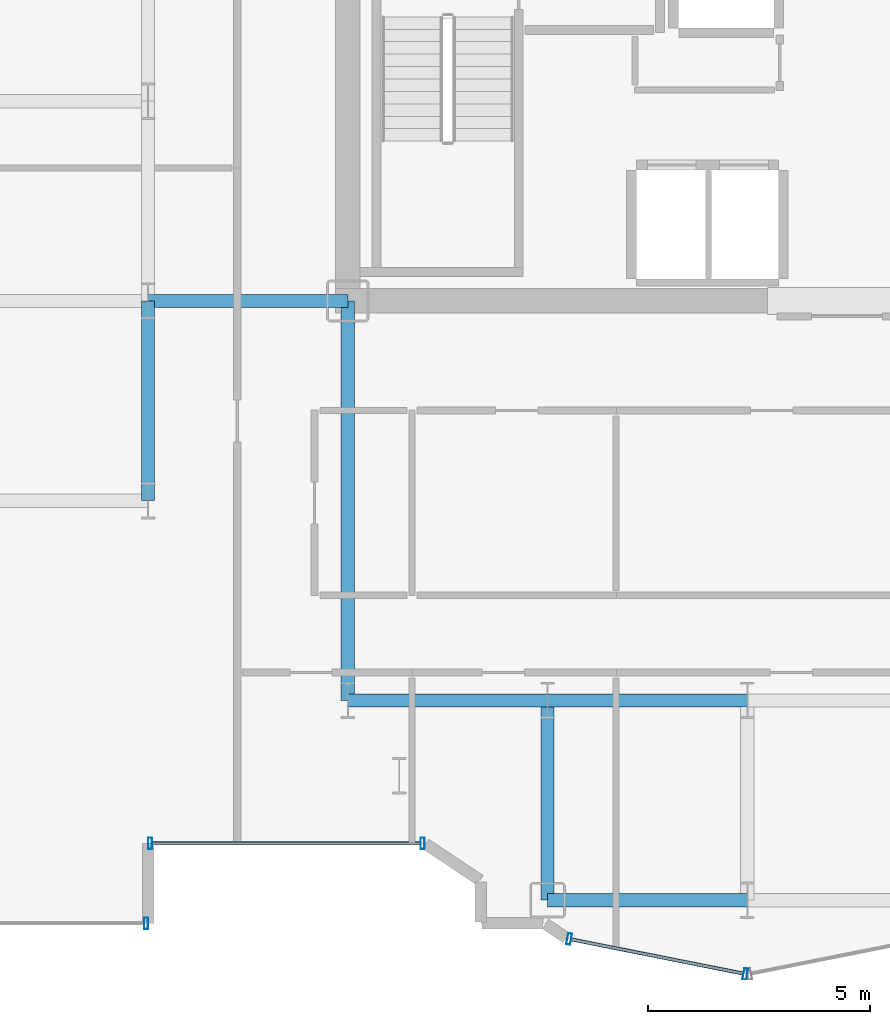
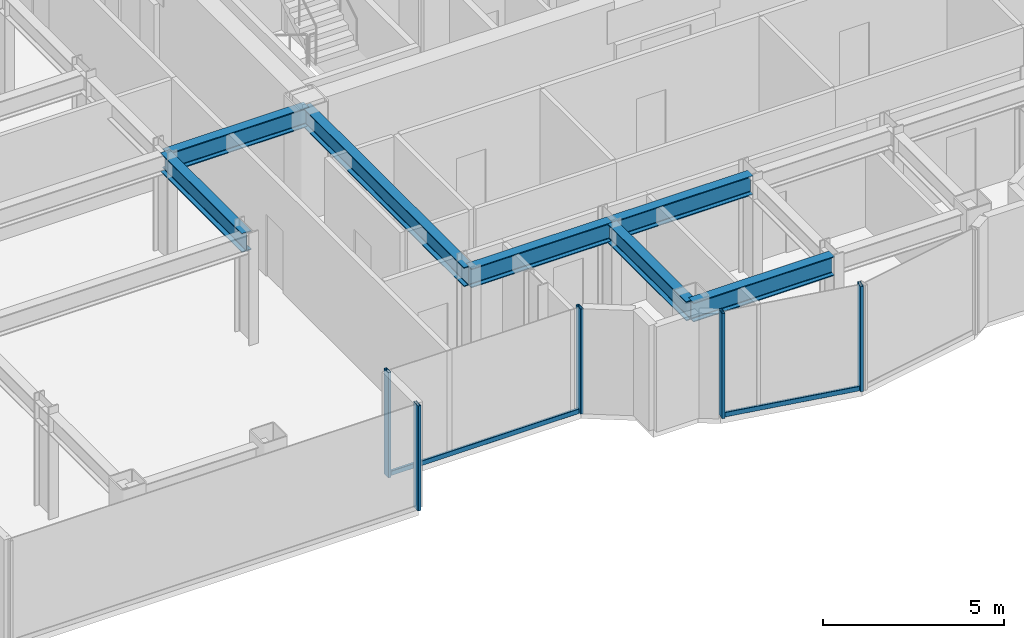
# One storey, part 5 of 23: 7 beams, 7 members, 3 elements without a shape of their own.
"""IFC4 building model written with IfcOpenShell, lengths in metres."""

from ifc_helpers import new_model, si_unit, direction, frame, origin, origin_2d, place, context, subcontext, project, spatial, hollow_rectangle, i_section, extrude, source, transform, mapped, material, layer, layer_set, material_profile, profile_set, type_object, element, aggregate, save


model = new_model("IFC4")

# Units and contexts
model_context = context("Model", 3, precision=1e-05, world=origin(), true_north=direction((0.0, 1.0)))
body_context = subcontext(model_context, "Body", "Model", "MODEL_VIEW")
ifc_project = project(units=[si_unit("LENGTHUNIT", "METRE"), si_unit("AREAUNIT", "SQUARE_METRE"), si_unit("VOLUMEUNIT", "CUBIC_METRE"), si_unit("PLANEANGLEUNIT", "RADIAN"), si_unit("MASSUNIT", "GRAM", prefix="KILO")], contexts=[model_context])

# Site, building, storey
site_placement = place(None, origin())
site = spatial("IfcSite", under=ifc_project, at=site_placement, CompositionType="ELEMENT")
building_placement = place(site_placement, origin())
building = spatial("IfcBuilding", under=site, at=building_placement, Name="Nefas-Gora Pilgrimage Tower", CompositionType="ELEMENT")
storey_placement = place(building_placement, frame((0.0, 0.0, 175.39990234375)))
storey = spatial("IfcBuildingStorey", under=building, at=storey_placement, Name="L43", CompositionType="ELEMENT", Elevation=175.39990234375)

# Beams
ifc_material_1 = material(Name="Steel S355", Category="steel")
ifc_material_profile_1 = material_profile(ifc_material_1, i_section(OverallWidth=0.300048828125, OverallDepth=0.64990234375, WebThickness=0.01611328125, FlangeThickness=0.031005859375, FilletRadius=0.027099609375, at=origin_2d()), Name="HEB 650")
ifc_profile_set_1 = profile_set([ifc_material_profile_1], Name="Steel S355")
beam_type = type_object("IfcBeamType", Name="BM-GIR-HEB650", PredefinedType="BEAM", material=ifc_profile_set_1)
shared_shape_1 = source(origin(), body_context, "Body", "SweptSolid", [
    extrude(i_section(OverallWidth=0.300048828125, OverallDepth=0.64990234375, WebThickness=0.01611328125, FlangeThickness=0.031005859375, FilletRadius=0.027099609375, at=origin_2d()), origin(), (0.0, 0.0, 1.0), 9.0),
])
beam_placement = place(storey_placement, frame((-11.25, -18.0, 3.22509765625), z_axis=(0.0, 1.0, 0.0), x_axis=(-1.0, 0.0, 0.0)))
element("IfcBeam", 1, at=beam_placement, inside=storey, type_object=beam_type, Name="L43 G-03 beam", PredefinedType="BEAM", context=body_context, shape_type="MappedRepresentation", body=[
    mapped(shared_shape_1, transform((0.0, 0.0, 0.0), x_axis=(1.0, 0.0, 0.0), y_axis=(0.0, 1.0, 0.0), z_axis=(0.0, 0.0, 1.0), scale=1.0)),
])
shared_shape_2 = source(origin(), body_context, "Body", "SweptSolid", [
    extrude(i_section(OverallWidth=0.300048828125, OverallDepth=0.64990234375, WebThickness=0.01611328125, FlangeThickness=0.031005859375, FilletRadius=0.027099609375, at=origin_2d()), origin(), (0.0, 0.0, 1.0), 4.5),
])
for number, where, z_axis, x_axis, name in (
    (2, (-15.75, -13.5, 3.22509765625), (0.0, 1.0, 0.0), (-1.0, 0.0, 0.0), "L43 G-03 beam"),
    (3, (-15.75, -9.0, 3.22509765625), (1.0, 0.0, 0.0), (0.0, 1.0, 0.0), "L43 G-03 beam"),
    (4, (-11.25, -18.0, 3.22509765625), (1.0, 0.0, 0.0), (0.0, 1.0, 0.0), "L43 G-03 beam"),
    (5, (-6.75, -22.5, 3.22509765625), (0.0, 1.0, 0.0), (-1.0, 0.0, 0.0), "L43 G-03 beam"),
    (6, (-6.75, -22.5, 3.22509765625), (1.0, 0.0, 0.0), (0.0, 1.0, 0.0), "L43 G-03 beam"),
    (7, (-6.75, -18.0, 3.22509765625), (1.0, 0.0, 0.0), (0.0, 1.0, 0.0), "L43 G-03 beam"),
):
    element("IfcBeam", number, at=place(storey_placement, frame(where, z_axis=z_axis, x_axis=x_axis)), inside=storey, type_object=beam_type, Name=name, PredefinedType="BEAM", context=body_context, shape_type="MappedRepresentation", body=[
        mapped(shared_shape_2, transform((0.0, 0.0, 0.0), x_axis=(1.0, 0.0, 0.0), y_axis=(0.0, 1.0, 0.0), z_axis=(0.0, 0.0, 1.0), scale=1.0)),
    ])

# Curtain wall, members
ifc_material_2 = material(Name="Dark ceramic-fritted solar-control aluminium-glass curtain wall", Category="aluminium")
ifc_layer_1 = layer(ifc_material_2, 0.219970703125)
ifc_layer_set_1 = layer_set([ifc_layer_1], Name="Dark ceramic-fritted solar-control aluminium-glass curtain wall")
curtain_wall_type_1 = type_object("IfcCurtainWallType", Name="CW-SYS-5", PredefinedType="NOTDEFINED", material=ifc_layer_set_1)
curtain_wall_1_placement = place(storey_placement, origin())
curtain_wall_1 = element("IfcCurtainWall", 8, at=curtain_wall_1_placement, inside=storey, type_object=curtain_wall_type_1, Name="L43 Unitised Curtain Wall CW5", PredefinedType="NOTDEFINED")
ifc_material_3 = material(Name="Anodised architectural aluminium", Category="aluminium")
ifc_material_profile_2 = material_profile(ifc_material_3, hollow_rectangle(XDim=0.090087890625, YDim=0.260009765625, WallThickness=0.006103515625, InnerFilletRadius=0.006103515625, OuterFilletRadius=0.011962890625, at=origin_2d()), Name="ALU MULLION 90x260")
ifc_profile_set_2 = profile_set([ifc_material_profile_2], Name="Anodised architectural aluminium")
member_type_1 = type_object("IfcMemberType", Name="CWM-MUL-5", PredefinedType="MULLION", material=ifc_profile_set_2)
shared_shape_3 = source(origin(), body_context, "Body", "SweptSolid", [
    extrude(hollow_rectangle(XDim=0.090087890625, YDim=0.260009765625, WallThickness=0.006103515625, InnerFilletRadius=0.006103515625, OuterFilletRadius=0.011962890625, at=origin_2d()), origin(), (0.0, 0.0, 1.0), 3.550048828125),
])
member_1_placement = place(storey_placement, frame((-15.705078125, -21.219970703125, 0.0), z_axis=(0.0, 0.0, 1.0), x_axis=(1.0, 0.0, 0.0)))
member_1 = element("IfcMember", 9, at=member_1_placement, type_object=member_type_1, Name="CW5 Mullion 1", PredefinedType="MULLION", context=body_context, shape_type="MappedRepresentation", body=[
    mapped(shared_shape_3, transform((0.0, 0.0, 0.0), x_axis=(1.0, 0.0, 0.0), y_axis=(0.0, 1.0, 0.0), z_axis=(0.0, 0.0, 1.0), scale=1.0)),
])
member_2_placement = place(storey_placement, frame((-9.56298828125, -21.219970703125, 0.0), z_axis=(0.0, 0.0, 1.0), x_axis=(1.0, 0.0, 0.0)))
member_2 = element("IfcMember", 10, at=member_2_placement, type_object=member_type_1, Name="CW5 Mullion 2", PredefinedType="MULLION", context=body_context, shape_type="MappedRepresentation", body=[
    mapped(shared_shape_3, transform((0.0, 0.0, 0.0), x_axis=(1.0, 0.0, 0.0), y_axis=(0.0, 1.0, 0.0), z_axis=(0.0, 0.0, 1.0), scale=1.0)),
])

curtain_wall_2_placement = place(storey_placement, origin())
curtain_wall_2 = element("IfcCurtainWall", 11, at=curtain_wall_2_placement, inside=storey, type_object=curtain_wall_type_1, Name="L43 Unitised Curtain Wall CW5", PredefinedType="NOTDEFINED")
member_3_placement = place(storey_placement, frame((-6.26318359375, -23.3740234375, 0.0), z_axis=(0.0, 0.0, 1.0), x_axis=(0.980782896852, -0.195102304554, 0.0)))
member_3 = element("IfcMember", 12, at=member_3_placement, type_object=member_type_1, Name="CW5 Mullion 1", PredefinedType="MULLION", context=body_context, shape_type="MappedRepresentation", body=[
    mapped(shared_shape_3, transform((0.0, 0.0, 0.0), x_axis=(1.0, 0.0, 0.0), y_axis=(0.0, 1.0, 0.0), z_axis=(0.0, 0.0, 1.0), scale=1.0)),
])
member_4_placement = place(storey_placement, frame((-2.294189453125, -24.16357421875, 0.0), z_axis=(0.0, 0.0, 1.0), x_axis=(0.980782896852, -0.195102304554, 0.0)))
member_4 = element("IfcMember", 13, at=member_4_placement, type_object=member_type_1, Name="CW5 Mullion 2", PredefinedType="MULLION", context=body_context, shape_type="MappedRepresentation", body=[
    mapped(shared_shape_3, transform((0.0, 0.0, 0.0), x_axis=(1.0, 0.0, 0.0), y_axis=(0.0, 1.0, 0.0), z_axis=(0.0, 0.0, 1.0), scale=1.0)),
])

# Member
ifc_material_profile_3 = material_profile(ifc_material_3, hollow_rectangle(XDim=0.080078125, YDim=0.159912109375, WallThickness=0.00439453125, InnerFilletRadius=0.00439453125, OuterFilletRadius=0.009033203125, at=origin_2d()), Name="ALU TRANSOM 80x160")
ifc_profile_set_3 = profile_set([ifc_material_profile_3], Name="Anodised architectural aluminium")
member_type_2 = type_object("IfcMemberType", Name="CWM-TRN-5", PredefinedType="USERDEFINED", material=ifc_profile_set_3)
shared_shape_4 = source(origin(), body_context, "Body", "SweptSolid", [
    extrude(hollow_rectangle(XDim=0.080078125, YDim=0.159912109375, WallThickness=0.00439453125, InnerFilletRadius=0.00439453125, OuterFilletRadius=0.009033203125, at=origin_2d()), origin(), (0.0, 0.0, 1.0), 6.052001953125),
])
member_5_placement = place(storey_placement, frame((-15.659912109375, -21.219970703125, 0.050048828125), z_axis=(1.0, 0.0, 0.0), x_axis=(0.0, 1.0, 0.0)))
member_5 = element("IfcMember", 14, at=member_5_placement, type_object=member_type_2, Name="CW5 Spandrel Transom", ObjectType="TRANSOM", PredefinedType="USERDEFINED", context=body_context, shape_type="MappedRepresentation", body=[
    mapped(shared_shape_4, transform((0.0, 0.0, 0.0), x_axis=(1.0, 0.0, 0.0), y_axis=(0.0, 1.0, 0.0), z_axis=(0.0, 0.0, 1.0), scale=1.0)),
])

aggregate(curtain_wall_1, [member_1, member_2, member_5])

shared_shape_5 = source(origin(), body_context, "Body", "SweptSolid", [
    extrude(hollow_rectangle(XDim=0.080078125, YDim=0.159912109375, WallThickness=0.00439453125, InnerFilletRadius=0.00439453125, OuterFilletRadius=0.009033203125, at=origin_2d()), origin(), (0.0, 0.0, 1.0), 3.95654296875),
])
member_6_placement = place(storey_placement, frame((-6.218994140625, -23.3828125, 0.050048828125), z_axis=(0.980781880918, -0.195107411605, 0.0), x_axis=(0.195107411605, 0.980781880918, 0.0)))
member_6 = element("IfcMember", 15, at=member_6_placement, type_object=member_type_2, Name="CW5 Spandrel Transom", ObjectType="TRANSOM", PredefinedType="USERDEFINED", context=body_context, shape_type="MappedRepresentation", body=[
    mapped(shared_shape_5, transform((0.0, 0.0, 0.0), x_axis=(1.0, 0.0, 0.0), y_axis=(0.0, 1.0, 0.0), z_axis=(0.0, 0.0, 1.0), scale=1.0)),
])

aggregate(curtain_wall_2, [member_3, member_4, member_6])

# Curtain wall, member
ifc_layer_2 = layer(ifc_material_2, 0.219970703125)
ifc_layer_set_2 = layer_set([ifc_layer_2], Name="Dark ceramic-fritted solar-control aluminium-glass curtain wall")
curtain_wall_type_2 = type_object("IfcCurtainWallType", Name="CW-SYS-3", PredefinedType="NOTDEFINED", material=ifc_layer_set_2)
curtain_wall_3_placement = place(storey_placement, origin())
curtain_wall_3 = element("IfcCurtainWall", 16, at=curtain_wall_3_placement, inside=storey, type_object=curtain_wall_type_2, Name="L43 Unitised Curtain Wall CW3", PredefinedType="NOTDEFINED")
ifc_material_profile_4 = material_profile(ifc_material_3, hollow_rectangle(XDim=0.090087890625, YDim=0.260009765625, WallThickness=0.006103515625, InnerFilletRadius=0.006103515625, OuterFilletRadius=0.011962890625, at=origin_2d()), Name="ALU MULLION 90x260")
ifc_profile_set_4 = profile_set([ifc_material_profile_4], Name="Anodised architectural aluminium")
member_type_3 = type_object("IfcMemberType", Name="CWM-MUL-3", PredefinedType="MULLION", material=ifc_profile_set_4)
shared_shape_6 = source(origin(), body_context, "Body", "SweptSolid", [
    extrude(hollow_rectangle(XDim=0.090087890625, YDim=0.260009765625, WallThickness=0.006103515625, InnerFilletRadius=0.006103515625, OuterFilletRadius=0.011962890625, at=origin_2d()), origin(), (0.0, 0.0, 1.0), 3.550048828125),
])
member_7_placement = place(storey_placement, frame((-15.794921875, -23.02001953125, 0.0), z_axis=(0.0, 0.0, 1.0), x_axis=(1.0, 0.0, 0.0)))
member_7 = element("IfcMember", 17, at=member_7_placement, type_object=member_type_3, Name="CW3 Mullion 2", PredefinedType="MULLION", context=body_context, shape_type="MappedRepresentation", body=[
    mapped(shared_shape_6, transform((0.0, 0.0, 0.0), x_axis=(1.0, 0.0, 0.0), y_axis=(0.0, 1.0, 0.0), z_axis=(0.0, 0.0, 1.0), scale=1.0)),
])
aggregate(curtain_wall_3, [member_7])

save(model, "model.ifc")
